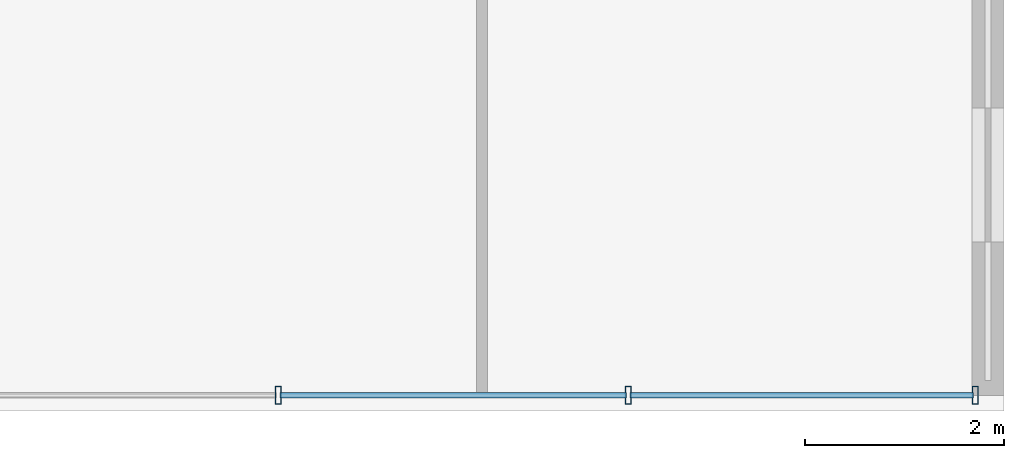
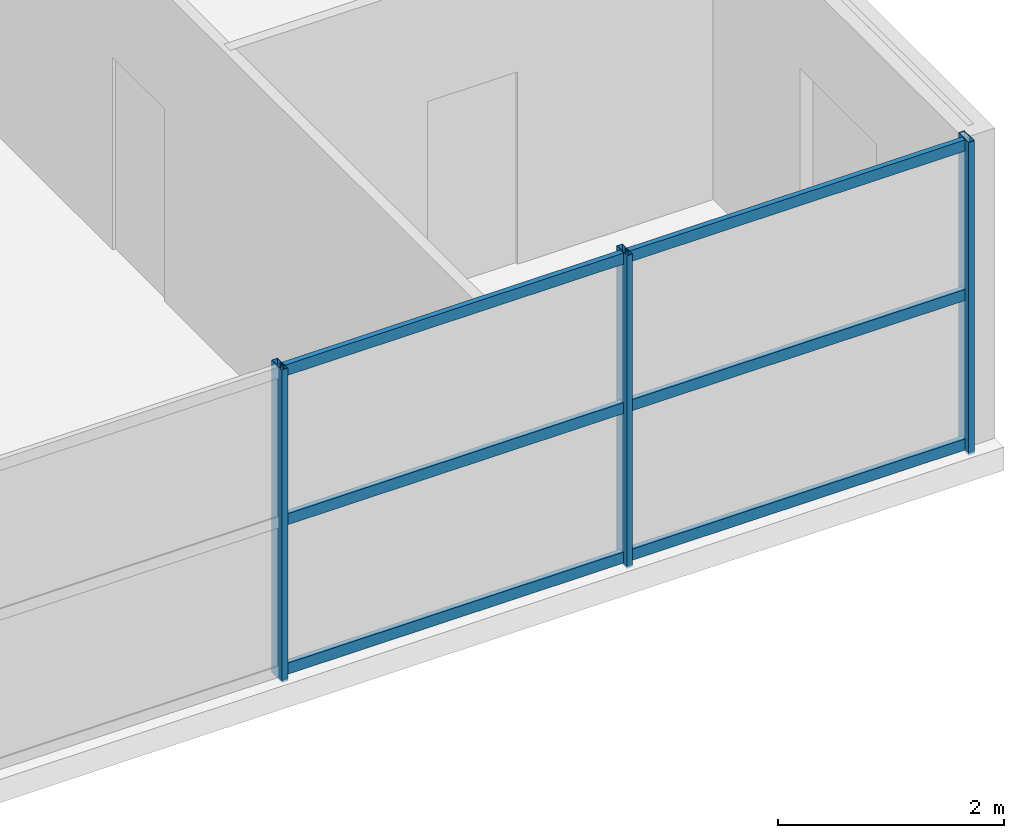
# One storey, part 5 of 17: 9 members, 1 element without a shape of its own.
"""IFC4 building model written with IfcOpenShell, lengths in metres."""

from ifc_helpers import new_model, si_unit, direction, frame, origin, origin_2d, place, context, subcontext, project, spatial, hollow_rectangle, extrude, source, transform, mapped, material, material_profile, profile_set, type_object, element, aggregate, save


model = new_model("IFC4")

# Units and contexts
model_context = context("Model", 3, precision=1e-05, world=origin(), true_north=direction((0.0, 1.0)))
body_context = subcontext(model_context, "Body", "Model", "MODEL_VIEW")
ifc_project = project(units=[si_unit("LENGTHUNIT", "METRE"), si_unit("AREAUNIT", "SQUARE_METRE"), si_unit("VOLUMEUNIT", "CUBIC_METRE"), si_unit("PLANEANGLEUNIT", "RADIAN"), si_unit("MASSUNIT", "GRAM", prefix="KILO")], contexts=[model_context])

# Site, building, storey
site_placement = place(None, origin())
site = spatial("IfcSite", under=ifc_project, at=site_placement, CompositionType="ELEMENT")
building_placement = place(site_placement, origin())
building = spatial("IfcBuilding", under=site, at=building_placement, Name="Tlacorven Tower", CompositionType="ELEMENT")
storey_placement = place(building_placement, frame((0.0, 0.0, 277.199951171875)))
storey = spatial("IfcBuildingStorey", under=building, at=storey_placement, Name="L70", CompositionType="ELEMENT", Elevation=277.199951171875)

# Curtain wall, members
ifc_material_1 = material(Name="Dark solar low-E double glazing in aluminium frame", Category="aluminium")
curtain_wall_type = type_object("IfcCurtainWallType", Name="CW-TWR-HIGH", PredefinedType="USERDEFINED", material=ifc_material_1)
curtain_wall_placement = place(storey_placement, origin())
curtain_wall = element("IfcCurtainWall", 1, at=curtain_wall_placement, inside=storey, type_object=curtain_wall_type, Name="L70 CW-TWR-HIGH Curtain Wall 324", ObjectType="UNITISED CURTAIN WALL", PredefinedType="USERDEFINED")
ifc_material_2 = material(Name="Aluminium 6063-T6 anodised", Category="aluminium")
ifc_material_profile_1 = material_profile(ifc_material_2, hollow_rectangle(XDim=0.06005859375, YDim=0.179931640625, WallThickness=0.00390625, at=origin_2d()), Name="ALU MULLION 60X180")
ifc_profile_set_1 = profile_set([ifc_material_profile_1], Name="Aluminium 6063-T6 anodised")
member_type_1 = type_object("IfcMemberType", Name="CWM-03", PredefinedType="MULLION", material=ifc_profile_set_1)
shared_shape_1 = source(origin(), body_context, "Body", "SweptSolid", [
    extrude(hollow_rectangle(XDim=0.06005859375, YDim=0.179931640625, WallThickness=0.00390625, at=origin_2d()), origin(), (0.0, 0.0, 1.0), 3.380126953125),
])
member_1_placement = place(storey_placement, frame((43.909912109375, 1.9599609375, -0.02001953125), z_axis=(0.0, 0.0, 1.0), x_axis=(-1.0, 0.0, 0.0)))
member_1 = element("IfcMember", 2, at=member_1_placement, type_object=member_type_1, Name="CW-L70-324 Mullion 1", PredefinedType="MULLION", context=body_context, shape_type="MappedRepresentation", body=[
    mapped(shared_shape_1, transform((0.0, 0.0, 0.0), scale=1.0)),
])
member_2_placement = place(storey_placement, frame((40.41552734375, 1.9599609375, -0.02001953125), z_axis=(0.0, 0.0, 1.0), x_axis=(-1.0, 0.0, 0.0)))
member_2 = element("IfcMember", 3, at=member_2_placement, type_object=member_type_1, Name="CW-L70-324 Mullion 2", PredefinedType="MULLION", context=body_context, shape_type="MappedRepresentation", body=[
    mapped(shared_shape_1, transform((0.0, 0.0, 0.0), scale=1.0)),
])
member_3_placement = place(storey_placement, frame((36.890869140625, 1.9599609375, -0.02001953125), z_axis=(0.0, 0.0, 1.0), x_axis=(-1.0, 0.0, 0.0)))
member_3 = element("IfcMember", 4, at=member_3_placement, type_object=member_type_1, Name="CW-L70-324 Mullion 3", PredefinedType="MULLION", context=body_context, shape_type="MappedRepresentation", body=[
    mapped(shared_shape_1, transform((0.0, 0.0, 0.0), scale=1.0)),
])
ifc_material_profile_2 = material_profile(ifc_material_2, hollow_rectangle(XDim=0.054931640625, YDim=0.1201171875, WallThickness=0.00341796875, at=origin_2d()), Name="ALU TRANSOM 55X120")
ifc_profile_set_2 = profile_set([ifc_material_profile_2], Name="Aluminium 6063-T6 anodised")
member_type_2 = type_object("IfcMemberType", Name="CWT-03", PredefinedType="USERDEFINED", material=ifc_profile_set_2)
shared_shape_2 = source(origin(), body_context, "Body", "SweptSolid", [
    extrude(hollow_rectangle(XDim=0.054931640625, YDim=0.1201171875, WallThickness=0.00341796875, at=origin_2d()), origin(), (0.0, 0.0, 1.0), 3.458740234375),
])
member_4_placement = place(storey_placement, frame((43.89208984375, 1.9599609375, 0.06005859375), z_axis=(-1.0, 0.0, 0.0), x_axis=(0.0, -1.0, 0.0)))
member_4 = element("IfcMember", 5, at=member_4_placement, type_object=member_type_2, Name="CW-L70-324 Transom 1", ObjectType="TRANSOM", PredefinedType="USERDEFINED", context=body_context, shape_type="MappedRepresentation", body=[
    mapped(shared_shape_2, transform((0.0, 0.0, 0.0), scale=1.0)),
])
member_5_placement = place(storey_placement, frame((43.89208984375, 1.9599609375, 1.675048828125), z_axis=(-1.0, 0.0, 0.0), x_axis=(0.0, -1.0, 0.0)))
member_5 = element("IfcMember", 6, at=member_5_placement, type_object=member_type_2, Name="CW-L70-324 Transom 2", ObjectType="TRANSOM", PredefinedType="USERDEFINED", context=body_context, shape_type="MappedRepresentation", body=[
    mapped(shared_shape_2, transform((0.0, 0.0, 0.0), scale=1.0)),
])
member_6_placement = place(storey_placement, frame((43.89208984375, 1.9599609375, 3.2900390625), z_axis=(-1.0, 0.0, 0.0), x_axis=(0.0, -1.0, 0.0)))
member_6 = element("IfcMember", 7, at=member_6_placement, type_object=member_type_2, Name="CW-L70-324 Transom 3", ObjectType="TRANSOM", PredefinedType="USERDEFINED", context=body_context, shape_type="MappedRepresentation", body=[
    mapped(shared_shape_2, transform((0.0, 0.0, 0.0), scale=1.0)),
])
shared_shape_3 = source(origin(), body_context, "Body", "SweptSolid", [
    extrude(hollow_rectangle(XDim=0.054931640625, YDim=0.1201171875, WallThickness=0.00341796875, at=origin_2d()), origin(), (0.0, 0.0, 1.0), 3.488525390625),
])
member_7_placement = place(storey_placement, frame((40.3974609375, 1.9599609375, 0.06005859375), z_axis=(-1.0, 0.0, 0.0), x_axis=(0.0, -1.0, 0.0)))
member_7 = element("IfcMember", 8, at=member_7_placement, type_object=member_type_2, Name="CW-L70-324 Transom 4", ObjectType="TRANSOM", PredefinedType="USERDEFINED", context=body_context, shape_type="MappedRepresentation", body=[
    mapped(shared_shape_3, transform((0.0, 0.0, 0.0), scale=1.0)),
])
member_8_placement = place(storey_placement, frame((40.3974609375, 1.9599609375, 1.675048828125), z_axis=(-1.0, 0.0, 0.0), x_axis=(0.0, -1.0, 0.0)))
member_8 = element("IfcMember", 9, at=member_8_placement, type_object=member_type_2, Name="CW-L70-324 Transom 5", ObjectType="TRANSOM", PredefinedType="USERDEFINED", context=body_context, shape_type="MappedRepresentation", body=[
    mapped(shared_shape_3, transform((0.0, 0.0, 0.0), scale=1.0)),
])
member_9_placement = place(storey_placement, frame((40.3974609375, 1.9599609375, 3.2900390625), z_axis=(-1.0, 0.0, 0.0), x_axis=(0.0, -1.0, 0.0)))
member_9 = element("IfcMember", 10, at=member_9_placement, type_object=member_type_2, Name="CW-L70-324 Transom 6", ObjectType="TRANSOM", PredefinedType="USERDEFINED", context=body_context, shape_type="MappedRepresentation", body=[
    mapped(shared_shape_3, transform((0.0, 0.0, 0.0), scale=1.0)),
])
aggregate(curtain_wall, [member_1, member_2, member_3, member_4, member_5, member_6, member_7, member_8, member_9])

save(model, "model.ifc")
